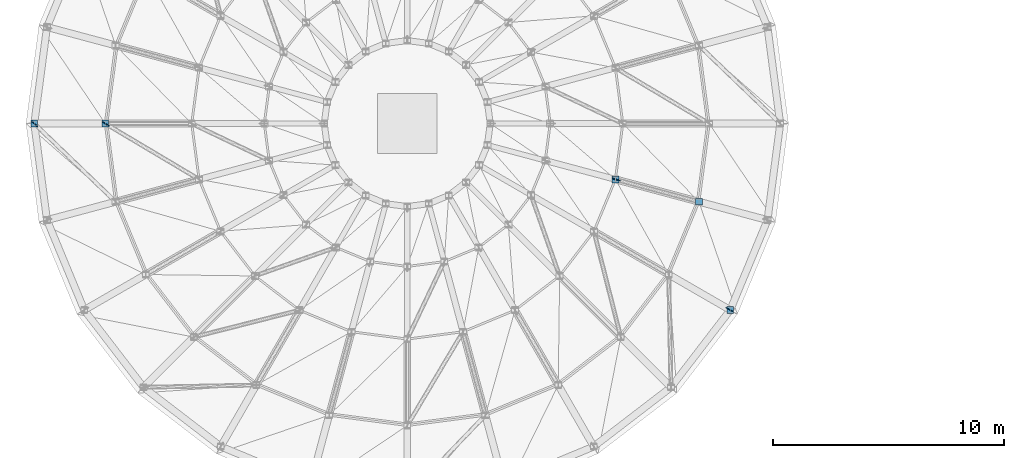
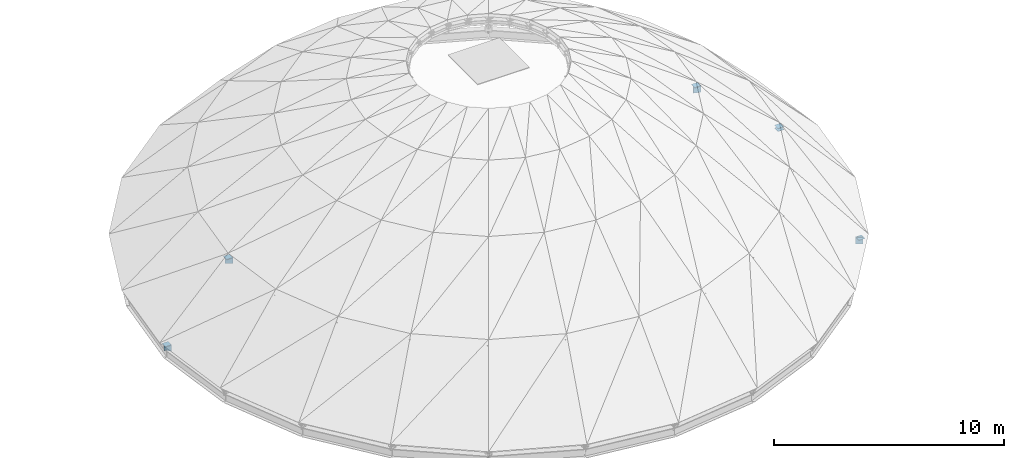
# One storey, part 16 of 19: 10 discrete accessories.
"""IFC4 building model written with IfcOpenShell, lengths in metres."""

from ifc_helpers import new_model, si_unit, direction, frame, origin, origin_2d, place, context, subcontext, project, spatial, rectangle, extrude, material, type_object, element, save


model = new_model("IFC4")

# Units and contexts
model_context = context("Model", 3, precision=1e-05, world=origin(), true_north=direction((0.0, 1.0)))
body_context = subcontext(model_context, "Body", "Model", "MODEL_VIEW")
ifc_project = project(units=[si_unit("LENGTHUNIT", "METRE"), si_unit("AREAUNIT", "SQUARE_METRE"), si_unit("VOLUMEUNIT", "CUBIC_METRE"), si_unit("PLANEANGLEUNIT", "RADIAN"), si_unit("MASSUNIT", "GRAM", prefix="KILO")], contexts=[model_context])

# Site, building, storey
site_placement = place(None, origin())
site = spatial("IfcSite", under=ifc_project, at=site_placement, CompositionType="ELEMENT")
building_placement = place(site_placement, origin())
building = spatial("IfcBuilding", under=site, at=building_placement, Name="Montecoro Central Library", CompositionType="ELEMENT")
storey_placement = place(building_placement, frame((0.0, 0.0, 25.5)))
storey = spatial("IfcBuildingStorey", under=building, at=storey_placement, Name="ROOF", CompositionType="ELEMENT", Elevation=25.5)

# Discrete accessories
ifc_material = material(Name="Steel S355", Category="steel")
discrete_accessory_type = type_object("IfcDiscreteAccessoryType", Name="GUSSET-PLT-01", PredefinedType="BRACKET", material=ifc_material)
for number, where, z_axis, x_axis, name in (
    (1, (75.448974609375, 35.3720703125, -8.2998046875), (0.0, 0.0, 1.0), (0.720793110676, -0.69315026625, 0.0), "V1-DOME-BR-B5-S1-GPA"),
    (2, (78.535888671875, 35.3779296875, -4.744140625), (0.0, 0.0, 1.0), (0.859406411501, -0.511293086077, 0.0), "V1-DOME-BR-B5-S2-GPA"),
    (3, (105.573974609375, 27.33203125, -8.2890625), (0.0, 0.0, 1.0), (-0.865938124132, 0.500151142331, 0.0), "V1-DOME-SPK-R2-23-GPA"),
    (4, (100.673095703125, 32.968017578125, -1.9609375), (0.0, 0.0, 1.0), (-0.965925826289, 0.258819045103, 0.0), "V1-DOME-SPK-R2-24-GPB"),
):
    element("IfcDiscreteAccessory", number, at=place(storey_placement, frame(where, z_axis=z_axis, x_axis=x_axis)), inside=storey, type_object=discrete_accessory_type, Name=name, PredefinedType="BRACKET", context=body_context, shape_type="SweptSolid", body=[
        extrude(rectangle(XDim=0.340087890625, YDim=0.02392578125, at=origin_2d()), origin(), (0.0, 0.0, 1.0), 0.340087890625),
    ])
for number, where, z_axis, x_axis, name in (
    (5, (75.419921875, 35.39990234375, -7.98193359375), (0.0, 0.0, 1.0), (1.0, 0.0, 0.0), "V1-DOME-STOOL-R0-13-GPB"),
    (6, (105.612060546875, 27.31005859375, -7.98193359375), (0.0, 0.0, 1.0), (1.0, 0.0, 0.0), "V1-DOME-STOOL-R0-23-GPB"),
    (7, (78.5, 35.39990234375, -4.421875), (0.0, 0.0, 1.0), (1.0, 0.0, 0.0), "V1-DOME-STOOL-R1-13-GPB"),
    (8, (104.25390625, 32.009033203125, -4.572021484375), (0.0, 0.0, 1.0), (1.0, 0.0, 0.0), "V1-DOME-STOOL-R1-24-GPA"),
    (9, (104.25390625, 32.009033203125, -4.421875), (0.0, 0.0, 1.0), (1.0, 0.0, 0.0), "V1-DOME-STOOL-R1-24-GPB"),
    (10, (100.631103515625, 32.97998046875, -1.572021484375), (0.0, 0.0, 1.0), (1.0, 0.0, 0.0), "V1-DOME-STOOL-R2-24-GPB"),
):
    element("IfcDiscreteAccessory", number, at=place(storey_placement, frame(where, z_axis=z_axis, x_axis=x_axis)), inside=storey, type_object=discrete_accessory_type, Name=name, PredefinedType="BRACKET", context=body_context, shape_type="SweptSolid", body=[
        extrude(rectangle(XDim=0.300048828125, YDim=0.300048828125, at=origin_2d()), origin(), (0.0, 0.0, 1.0), 0.02392578125),
    ])

save(model, "model.ifc")
